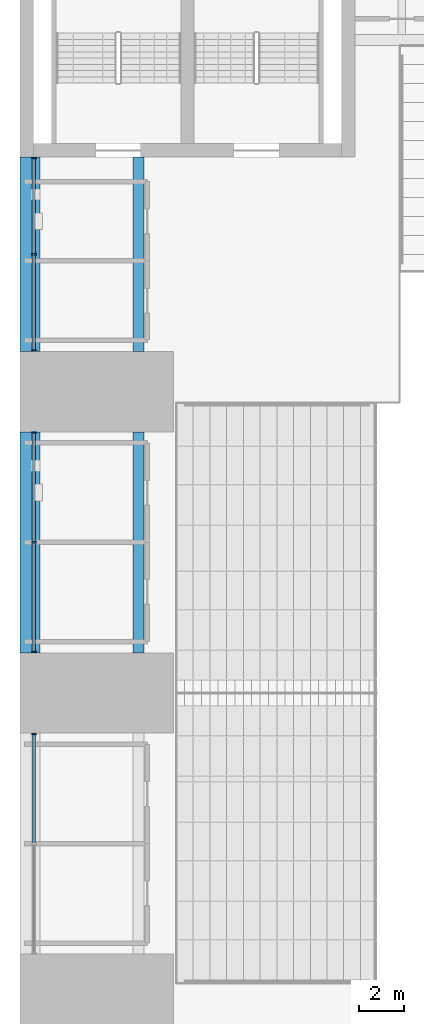
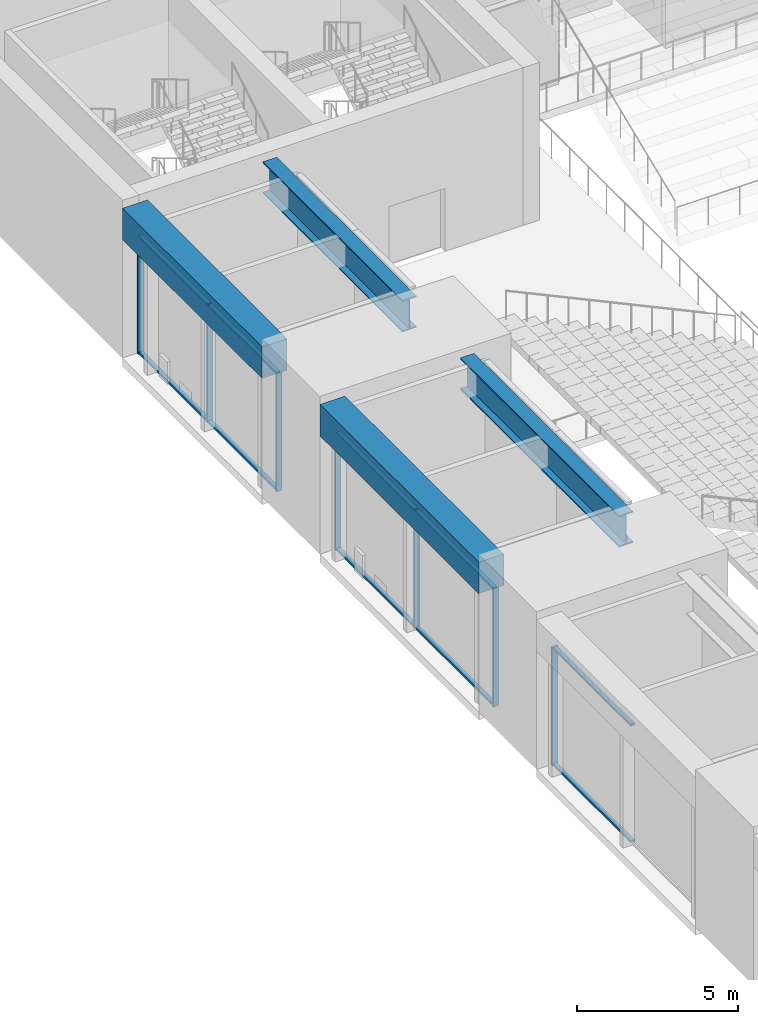
# One storey, part 7 of 61: 17 members, 4 beams, 3 elements without a shape of their own.
"""IFC4 building model written with IfcOpenShell, lengths in metres."""

from ifc_helpers import new_model, si_unit, direction, frame, origin, origin_2d, place, context, subcontext, project, spatial, rectangle, i_section, extrude, material, layer, layer_set, material_profile, profile_set, type_object, element, aggregate, save


model = new_model("IFC4")

# Units and contexts
model_context = context("Model", 3, precision=1e-05, world=origin(), true_north=direction((0.0, 1.0)))
body_context = subcontext(model_context, "Body", "Model", "MODEL_VIEW")
ifc_project = project(units=[si_unit("LENGTHUNIT", "METRE"), si_unit("AREAUNIT", "SQUARE_METRE"), si_unit("VOLUMEUNIT", "CUBIC_METRE"), si_unit("PLANEANGLEUNIT", "RADIAN"), si_unit("MASSUNIT", "GRAM", prefix="KILO")], contexts=[model_context])

# Site, building, storey
site_placement = place(None, origin())
site = spatial("IfcSite", under=ifc_project, at=site_placement, CompositionType="ELEMENT")
building_placement = place(site_placement, origin())
building = spatial("IfcBuilding", under=site, at=building_placement, Name="Corbelhall Arena Tower", CompositionType="ELEMENT")
storey_placement = place(building_placement, frame((0.0, 0.0, 31.0)))
storey = spatial("IfcBuildingStorey", under=building, at=storey_placement, Name="L04", CompositionType="ELEMENT", Elevation=31.0)

# Curtain wall, members
ifc_material_1 = material(Name="Aluminium black anodised", Category="aluminium")
ifc_layer = layer(ifc_material_1, 0.239990234375)
ifc_layer_set = layer_set([ifc_layer], Name="EV-CW4 Arena concourse glazing")
curtain_wall_type = type_object("IfcCurtainWallType", Name="EV-CW4 Arena concourse glazing", PredefinedType="NOTDEFINED", material=ifc_layer_set)
curtain_wall_1_placement = place(storey_placement, origin())
curtain_wall_1 = element("IfcCurtainWall", 1, at=curtain_wall_1_placement, inside=storey, type_object=curtain_wall_type, Name="Curtain wall CW4B", PredefinedType="NOTDEFINED")
ifc_material_profile_1 = material_profile(ifc_material_1, rectangle(XDim=0.199951171875, YDim=0.074951171875, at=origin_2d()))
ifc_profile_set_1 = profile_set([ifc_material_profile_1], Name="Aluminium black anodised")
member_type_1 = type_object("IfcMemberType", Name="EV-CW4-MULLION", PredefinedType="MULLION", material=ifc_profile_set_1)
member_1_placement = place(storey_placement, frame((-47.3798828125, 23.96240234375, 0.0), z_axis=(0.0, 0.0, 1.0), x_axis=(1.0, 0.0, 0.0)))
member_1 = element("IfcMember", 2, at=member_1_placement, type_object=member_type_1, Name="CW4B mullion 1", PredefinedType="MULLION", context=body_context, shape_type="SweptSolid", body=[
    extrude(rectangle(XDim=0.199951171875, YDim=0.074951171875, at=origin_2d()), origin(), (0.0, 0.0, 1.0), 4.5),
])
member_2_placement = place(storey_placement, frame((-47.3798828125, 19.64990234375, 0.0), z_axis=(0.0, 0.0, 1.0), x_axis=(1.0, 0.0, 0.0)))
member_2 = element("IfcMember", 3, at=member_2_placement, type_object=member_type_1, Name="CW4B mullion 2", PredefinedType="MULLION", context=body_context, shape_type="SweptSolid", body=[
    extrude(rectangle(XDim=0.199951171875, YDim=0.074951171875, at=origin_2d()), origin(), (0.0, 0.0, 1.0), 4.5),
])
member_3_placement = place(storey_placement, frame((-47.3798828125, 15.33740234375, 0.0), z_axis=(0.0, 0.0, 1.0), x_axis=(1.0, 0.0, 0.0)))
member_3 = element("IfcMember", 4, at=member_3_placement, type_object=member_type_1, Name="CW4B mullion 3", PredefinedType="MULLION", context=body_context, shape_type="SweptSolid", body=[
    extrude(rectangle(XDim=0.199951171875, YDim=0.074951171875, at=origin_2d()), origin(), (0.0, 0.0, 1.0), 4.5),
])

curtain_wall_2_placement = place(storey_placement, origin())
curtain_wall_2 = element("IfcCurtainWall", 5, at=curtain_wall_2_placement, inside=storey, type_object=curtain_wall_type, Name="Curtain wall CW4", PredefinedType="NOTDEFINED")
member_4_placement = place(storey_placement, frame((-47.3798828125, 11.66259765625, 0.0), z_axis=(0.0, 0.0, 1.0), x_axis=(1.0, 0.0, 0.0)))
member_4 = element("IfcMember", 6, at=member_4_placement, type_object=member_type_1, Name="CW4 mullion 1", PredefinedType="MULLION", context=body_context, shape_type="SweptSolid", body=[
    extrude(rectangle(XDim=0.199951171875, YDim=0.074951171875, at=origin_2d()), origin(), (0.0, 0.0, 1.0), 4.5),
])
member_5_placement = place(storey_placement, frame((-47.3798828125, 6.75, 0.0), z_axis=(0.0, 0.0, 1.0), x_axis=(1.0, 0.0, 0.0)))
member_5 = element("IfcMember", 7, at=member_5_placement, type_object=member_type_1, Name="CW4 mullion 2", PredefinedType="MULLION", context=body_context, shape_type="SweptSolid", body=[
    extrude(rectangle(XDim=0.199951171875, YDim=0.074951171875, at=origin_2d()), origin(), (0.0, 0.0, 1.0), 4.5),
])
member_6_placement = place(storey_placement, frame((-47.3798828125, 1.83740234375, 0.0), z_axis=(0.0, 0.0, 1.0), x_axis=(1.0, 0.0, 0.0)))
member_6 = element("IfcMember", 8, at=member_6_placement, type_object=member_type_1, Name="CW4 mullion 3", PredefinedType="MULLION", context=body_context, shape_type="SweptSolid", body=[
    extrude(rectangle(XDim=0.199951171875, YDim=0.074951171875, at=origin_2d()), origin(), (0.0, 0.0, 1.0), 4.5),
])

# Curtain wall, member
curtain_wall_3_placement = place(storey_placement, origin())
curtain_wall_3 = element("IfcCurtainWall", 9, at=curtain_wall_3_placement, inside=storey, type_object=curtain_wall_type, Name="Curtain wall CW4", PredefinedType="NOTDEFINED")
member_7_placement = place(storey_placement, frame((-47.3798828125, -1.83740234375, 0.0), z_axis=(0.0, 0.0, 1.0), x_axis=(1.0, 0.0, 0.0)))
member_7 = element("IfcMember", 10, at=member_7_placement, type_object=member_type_1, Name="CW4 mullion 1", PredefinedType="MULLION", context=body_context, shape_type="SweptSolid", body=[
    extrude(rectangle(XDim=0.199951171875, YDim=0.074951171875, at=origin_2d()), origin(), (0.0, 0.0, 1.0), 4.5),
])

# Member
ifc_material_profile_2 = material_profile(ifc_material_1, rectangle(XDim=0.14990234375, YDim=0.074951171875, at=origin_2d()))
ifc_profile_set_2 = profile_set([ifc_material_profile_2], Name="Aluminium black anodised")
member_type_2 = type_object("IfcMemberType", Name="EV-CW4-TRANSOM", PredefinedType="USERDEFINED", material=ifc_profile_set_2)
member_8_placement = place(storey_placement, frame((-47.3798828125, 23.925048828125, 0.03759765625), z_axis=(0.0, -1.0, 0.0), x_axis=(1.0, 0.0, 0.0)))
member_8 = element("IfcMember", 11, at=member_8_placement, type_object=member_type_2, Name="CW4B transom 1.1", ObjectType="transom", PredefinedType="USERDEFINED", context=body_context, shape_type="SweptSolid", body=[
    extrude(rectangle(XDim=0.14990234375, YDim=0.074951171875, at=origin_2d()), origin(), (0.0, 0.0, 1.0), 4.237548828125),
])

member_9_placement = place(storey_placement, frame((-47.3798828125, 23.925048828125, 4.46240234375), z_axis=(0.0, -1.0, 0.0), x_axis=(1.0, 0.0, 0.0)))
member_9 = element("IfcMember", 12, at=member_9_placement, type_object=member_type_2, Name="CW4B transom 1.2", ObjectType="transom", PredefinedType="USERDEFINED", context=body_context, shape_type="SweptSolid", body=[
    extrude(rectangle(XDim=0.14990234375, YDim=0.074951171875, at=origin_2d()), origin(), (0.0, 0.0, 1.0), 4.237548828125),
])

member_10_placement = place(storey_placement, frame((-47.3798828125, 19.612548828125, 0.03759765625), z_axis=(0.0, -1.0, 0.0), x_axis=(1.0, 0.0, 0.0)))
member_10 = element("IfcMember", 13, at=member_10_placement, type_object=member_type_2, Name="CW4B transom 2.1", ObjectType="transom", PredefinedType="USERDEFINED", context=body_context, shape_type="SweptSolid", body=[
    extrude(rectangle(XDim=0.14990234375, YDim=0.074951171875, at=origin_2d()), origin(), (0.0, 0.0, 1.0), 4.237548828125),
])

member_11_placement = place(storey_placement, frame((-47.3798828125, 19.612548828125, 4.46240234375), z_axis=(0.0, -1.0, 0.0), x_axis=(1.0, 0.0, 0.0)))
member_11 = element("IfcMember", 14, at=member_11_placement, type_object=member_type_2, Name="CW4B transom 2.2", ObjectType="transom", PredefinedType="USERDEFINED", context=body_context, shape_type="SweptSolid", body=[
    extrude(rectangle(XDim=0.14990234375, YDim=0.074951171875, at=origin_2d()), origin(), (0.0, 0.0, 1.0), 4.237548828125),
])

aggregate(curtain_wall_1, [member_1, member_2, member_3, member_8, member_9, member_10, member_11])

member_12_placement = place(storey_placement, frame((-47.3798828125, 11.625, 0.03759765625), z_axis=(0.0, -1.0, 0.0), x_axis=(1.0, 0.0, 0.0)))
member_12 = element("IfcMember", 15, at=member_12_placement, type_object=member_type_2, Name="CW4 transom 1.1", ObjectType="transom", PredefinedType="USERDEFINED", context=body_context, shape_type="SweptSolid", body=[
    extrude(rectangle(XDim=0.14990234375, YDim=0.074951171875, at=origin_2d()), origin(), (0.0, 0.0, 1.0), 4.83740234375),
])

member_13_placement = place(storey_placement, frame((-47.3798828125, 11.625, 4.46240234375), z_axis=(0.0, -1.0, 0.0), x_axis=(1.0, 0.0, 0.0)))
member_13 = element("IfcMember", 16, at=member_13_placement, type_object=member_type_2, Name="CW4 transom 1.2", ObjectType="transom", PredefinedType="USERDEFINED", context=body_context, shape_type="SweptSolid", body=[
    extrude(rectangle(XDim=0.14990234375, YDim=0.074951171875, at=origin_2d()), origin(), (0.0, 0.0, 1.0), 4.83740234375),
])

member_14_placement = place(storey_placement, frame((-47.3798828125, 6.71240234375, 0.03759765625), z_axis=(0.0, -1.0, 0.0), x_axis=(1.0, 0.0, 0.0)))
member_14 = element("IfcMember", 17, at=member_14_placement, type_object=member_type_2, Name="CW4 transom 2.1", ObjectType="transom", PredefinedType="USERDEFINED", context=body_context, shape_type="SweptSolid", body=[
    extrude(rectangle(XDim=0.14990234375, YDim=0.074951171875, at=origin_2d()), origin(), (0.0, 0.0, 1.0), 4.83740234375),
])

member_15_placement = place(storey_placement, frame((-47.3798828125, 6.71240234375, 4.46240234375), z_axis=(0.0, -1.0, 0.0), x_axis=(1.0, 0.0, 0.0)))
member_15 = element("IfcMember", 18, at=member_15_placement, type_object=member_type_2, Name="CW4 transom 2.2", ObjectType="transom", PredefinedType="USERDEFINED", context=body_context, shape_type="SweptSolid", body=[
    extrude(rectangle(XDim=0.14990234375, YDim=0.074951171875, at=origin_2d()), origin(), (0.0, 0.0, 1.0), 4.83740234375),
])

aggregate(curtain_wall_2, [member_4, member_5, member_6, member_12, member_13, member_14, member_15])

member_16_placement = place(storey_placement, frame((-47.3798828125, -1.875, 0.03759765625), z_axis=(0.0, -1.0, 0.0), x_axis=(1.0, 0.0, 0.0)))
member_16 = element("IfcMember", 19, at=member_16_placement, type_object=member_type_2, Name="CW4 transom 1.1", ObjectType="transom", PredefinedType="USERDEFINED", context=body_context, shape_type="SweptSolid", body=[
    extrude(rectangle(XDim=0.14990234375, YDim=0.074951171875, at=origin_2d()), origin(), (0.0, 0.0, 1.0), 4.83740234375),
])

member_17_placement = place(storey_placement, frame((-47.3798828125, -1.875, 4.46240234375), z_axis=(0.0, -1.0, 0.0), x_axis=(1.0, 0.0, 0.0)))
member_17 = element("IfcMember", 20, at=member_17_placement, type_object=member_type_2, Name="CW4 transom 1.2", ObjectType="transom", PredefinedType="USERDEFINED", context=body_context, shape_type="SweptSolid", body=[
    extrude(rectangle(XDim=0.14990234375, YDim=0.074951171875, at=origin_2d()), origin(), (0.0, 0.0, 1.0), 4.83740234375),
])

aggregate(curtain_wall_3, [member_7, member_16, member_17])

# Beams
ifc_material_2 = material(Name="Steel ASTM A572 Gr50", Category="steel")
ifc_material_profile_3 = material_profile(ifc_material_2, i_section(OverallWidth=0.5, OverallDepth=1.199951171875, WebThickness=0.02490234375, FlangeThickness=0.044921875, at=origin_2d()))
ifc_profile_set_3 = profile_set([ifc_material_profile_3], Name="Steel ASTM A572 Gr50")
beam_type_1 = type_object("IfcBeamType", Name="PO-GIRDER-PG1200X500X25X45", PredefinedType="BEAM", material=ifc_profile_set_3)
beam_1_placement = place(storey_placement, frame((-42.699951171875, 1.800048828125, 5.10009765625), z_axis=(0.0, 1.0, 0.0), x_axis=(-1.0, 0.0, 0.0)))
element("IfcBeam", 21, at=beam_1_placement, inside=storey, type_object=beam_type_1, Name="INNER END GIRDER", PredefinedType="BEAM", context=body_context, shape_type="SweptSolid", body=[
    extrude(i_section(OverallWidth=0.5, OverallDepth=1.199951171875, WebThickness=0.02490234375, FlangeThickness=0.044921875, at=origin_2d()), origin(), (0.0, 0.0, 1.0), 9.89990234375),
])
beam_2_placement = place(storey_placement, frame((-42.699951171875, 15.300048828125, 5.10009765625), z_axis=(0.0, 1.0, 0.0), x_axis=(-1.0, 0.0, 0.0)))
element("IfcBeam", 22, at=beam_2_placement, inside=storey, type_object=beam_type_1, Name="INNER END GIRDER", PredefinedType="BEAM", context=body_context, shape_type="SweptSolid", body=[
    extrude(i_section(OverallWidth=0.5, OverallDepth=1.199951171875, WebThickness=0.02490234375, FlangeThickness=0.044921875, at=origin_2d()), origin(), (0.0, 0.0, 1.0), 8.699951171875),
])
ifc_material_3 = material(Name="Concrete C80/95", Category="concrete")
ifc_material_profile_4 = material_profile(ifc_material_3, rectangle(XDim=0.89990234375, YDim=1.199951171875, at=origin_2d()))
ifc_profile_set_4 = profile_set([ifc_material_profile_4], Name="Concrete C80/95")
beam_type_2 = type_object("IfcBeamType", Name="PO-RING-BEAM", PredefinedType="BEAM", material=ifc_profile_set_4)
beam_3_placement = place(storey_placement, frame((-47.550048828125, 1.800048828125, 5.10009765625), z_axis=(0.0, 1.0, 0.0), x_axis=(-1.0, 0.0, 0.0)))
element("IfcBeam", 23, at=beam_3_placement, inside=storey, type_object=beam_type_2, Name="RING GIRDER L05 W3", PredefinedType="BEAM", context=body_context, shape_type="SweptSolid", body=[
    extrude(rectangle(XDim=0.89990234375, YDim=1.199951171875, at=origin_2d()), origin(), (0.0, 0.0, 1.0), 9.89990234375),
])
beam_4_placement = place(storey_placement, frame((-47.550048828125, 15.300048828125, 5.10009765625), z_axis=(0.0, 1.0, 0.0), x_axis=(-1.0, 0.0, 0.0)))
element("IfcBeam", 24, at=beam_4_placement, inside=storey, type_object=beam_type_2, Name="RING GIRDER L05 W4", PredefinedType="BEAM", context=body_context, shape_type="SweptSolid", body=[
    extrude(rectangle(XDim=0.89990234375, YDim=1.199951171875, at=origin_2d()), origin(), (0.0, 0.0, 1.0), 8.699951171875),
])

save(model, "model.ifc")
